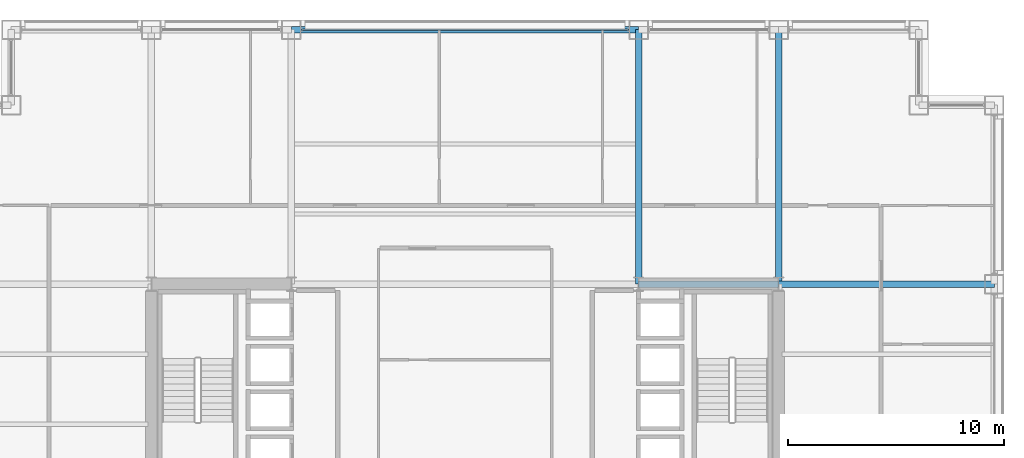
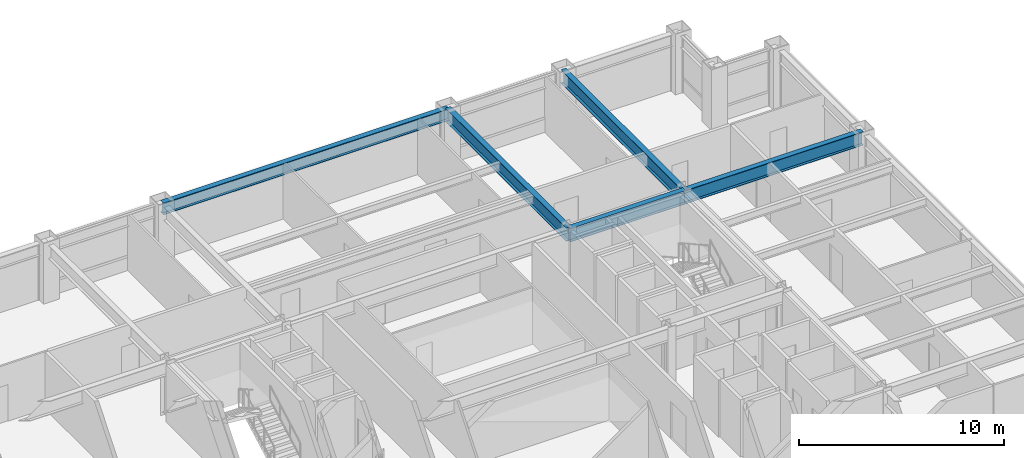
# One storey, part 18 of 28: 5 beams, 1 member, 1 element without a shape of its own.
"""IFC4 building model written with IfcOpenShell, lengths in metres."""

from ifc_helpers import new_model, si_unit, direction, frame, origin, origin_2d, place, context, subcontext, project, spatial, hollow_rectangle, i_section, extrude, material, layer, layer_set, material_profile, profile_set, type_object, element, aggregate, save


model = new_model("IFC4")

# Units and contexts
model_context = context("Model", 3, precision=1e-05, world=origin(), true_north=direction((0.0, 1.0)))
body_context = subcontext(model_context, "Body", "Model", "MODEL_VIEW")
ifc_project = project(units=[si_unit("LENGTHUNIT", "METRE"), si_unit("AREAUNIT", "SQUARE_METRE"), si_unit("VOLUMEUNIT", "CUBIC_METRE"), si_unit("PLANEANGLEUNIT", "RADIAN"), si_unit("MASSUNIT", "GRAM", prefix="KILO")], contexts=[model_context])

# Site, building, storey
site_placement = place(None, origin())
site = spatial("IfcSite", under=ifc_project, at=site_placement, CompositionType="ELEMENT")
building_placement = place(site_placement, origin())
building = spatial("IfcBuilding", under=site, at=building_placement, Name="Brelmoor Portico Tower", CompositionType="ELEMENT")
storey_placement = place(building_placement, frame((0.0, 0.0, 70.800048828125)))
storey = spatial("IfcBuildingStorey", under=building, at=storey_placement, Name="L18", CompositionType="ELEMENT", Elevation=70.800048828125)

# Beams
ifc_material_1 = material(Name="Steel Q355B", Category="steel")
ifc_material_profile_1 = material_profile(ifc_material_1, i_section(OverallWidth=0.300048828125, OverallDepth=0.800048828125, WebThickness=0.013916015625, FlangeThickness=0.02587890625, at=origin_2d()), Name="HN 800x300x14x26")
ifc_profile_set_1 = profile_set([ifc_material_profile_1], Name="Steel Q355B")
beam_type_1 = type_object("IfcBeamType", Name="BM-PG-800", PredefinedType="BEAM", material=ifc_profile_set_1)
for number, where, z_axis, x_axis, name in (
    (1, (8.050048828125, 9.75, 3.0), (0.0, 1.0, 0.0), (-1.0, 0.0, 0.0), "L18 Primary Floor Girder PG-10"),
    (2, (14.550048828125, 9.75, 3.0), (0.0, 1.0, 0.0), (-1.0, 0.0, 0.0), "L18 Primary Floor Girder PG-14"),
):
    element("IfcBeam", number, at=place(storey_placement, frame(where, z_axis=z_axis, x_axis=x_axis)), inside=storey, type_object=beam_type_1, Name=name, PredefinedType="BEAM", context=body_context, shape_type="SweptSolid", body=[
        extrude(i_section(OverallWidth=0.300048828125, OverallDepth=0.800048828125, WebThickness=0.013916015625, FlangeThickness=0.02587890625, at=origin_2d()), origin(), (0.0, 0.0, 1.0), 11.800048828125),
    ])
beam_1_placement = place(storey_placement, frame((8.050048828125, 9.75, 3.0), z_axis=(1.0, 0.0, 0.0), x_axis=(0.0, 1.0, 0.0)))
element("IfcBeam", 3, at=beam_1_placement, inside=storey, type_object=beam_type_1, Name="L18 Primary Floor Girder PG-30", PredefinedType="BEAM", context=body_context, shape_type="SweptSolid", body=[
    extrude(i_section(OverallWidth=0.300048828125, OverallDepth=0.800048828125, WebThickness=0.013916015625, FlangeThickness=0.02587890625, at=origin_2d()), origin(), (0.0, 0.0, 1.0), 6.5),
])
beam_2_placement = place(storey_placement, frame((14.550048828125, 9.75, 3.0), z_axis=(1.0, 0.0, 0.0), x_axis=(0.0, 1.0, 0.0)))
element("IfcBeam", 4, at=beam_2_placement, inside=storey, type_object=beam_type_1, Name="L18 Primary Floor Girder PG-31", PredefinedType="BEAM", context=body_context, shape_type="SweptSolid", body=[
    extrude(i_section(OverallWidth=0.300048828125, OverallDepth=0.800048828125, WebThickness=0.013916015625, FlangeThickness=0.02587890625, at=origin_2d()), origin(), (0.0, 0.0, 1.0), 10.0),
])
ifc_material_profile_2 = material_profile(ifc_material_1, i_section(OverallWidth=0.300048828125, OverallDepth=0.699951171875, WebThickness=0.012939453125, FlangeThickness=0.02392578125, at=origin_2d()), Name="HN 700x300x13x24")
ifc_profile_set_2 = profile_set([ifc_material_profile_2], Name="Steel Q355B")
beam_type_2 = type_object("IfcBeamType", Name="BM-SP-700", PredefinedType="SPANDREL", material=ifc_profile_set_2)
beam_3_placement = place(storey_placement, frame((-8.050048828125, 21.550048828125, 3.050048828125), z_axis=(1.0, 0.0, 0.0), x_axis=(0.0, 1.0, 0.0)))
element("IfcBeam", 5, at=beam_3_placement, inside=storey, type_object=beam_type_2, Name="L18 Perimeter Spandrel Beam SP-12", PredefinedType="SPANDREL", context=body_context, shape_type="SweptSolid", body=[
    extrude(i_section(OverallWidth=0.300048828125, OverallDepth=0.699951171875, WebThickness=0.012939453125, FlangeThickness=0.02392578125, at=origin_2d()), origin(), (0.0, 0.0, 1.0), 16.10009765625),
])

# Curtain wall, member
ifc_material_2 = material(Name="Anodised Aluminium Alloy 6063-T6", Category="aluminium")
ifc_layer = layer(ifc_material_2, 0.179931640625)
ifc_layer_set = layer_set([ifc_layer], Name="Anodised Aluminium Alloy 6063-T6")
curtain_wall_type = type_object("IfcCurtainWallType", Name="CW-TOWER-Z1-XB", PredefinedType="NOTDEFINED", material=ifc_layer_set)
curtain_wall_placement = place(storey_placement, origin())
curtain_wall = element("IfcCurtainWall", 6, at=curtain_wall_placement, inside=storey, type_object=curtain_wall_type, Name="L18 Curtain Wall CW-L18-02-3", PredefinedType="NOTDEFINED")
ifc_material_profile_3 = material_profile(ifc_material_2, hollow_rectangle(XDim=0.06494140625, YDim=0.139892578125, WallThickness=0.00390625, at=origin_2d()), Name="ALU TRANSOM 65x140")
ifc_profile_set_3 = profile_set([ifc_material_profile_3], Name="Anodised Aluminium Alloy 6063-T6")
member_type = type_object("IfcMemberType", Name="MB-CW-TRAN-140", PredefinedType="USERDEFINED", material=ifc_profile_set_3)
member_placement = place(storey_placement, frame((-7.590087890625, 21.550048828125, 3.329833984375), z_axis=(1.0, 0.0, 0.0), x_axis=(0.0, 1.0, 0.0)))
member = element("IfcMember", 7, at=member_placement, type_object=member_type, Name="CW-L18-02-3 Transom 1-00", ObjectType="TRANSOM", PredefinedType="USERDEFINED", context=body_context, shape_type="SweptSolid", body=[
    extrude(hollow_rectangle(XDim=0.06494140625, YDim=0.139892578125, WallThickness=0.00390625, at=origin_2d()), origin(), (0.0, 0.0, 1.0), 15.18017578125),
])
aggregate(curtain_wall, [member])

save(model, "model.ifc")
